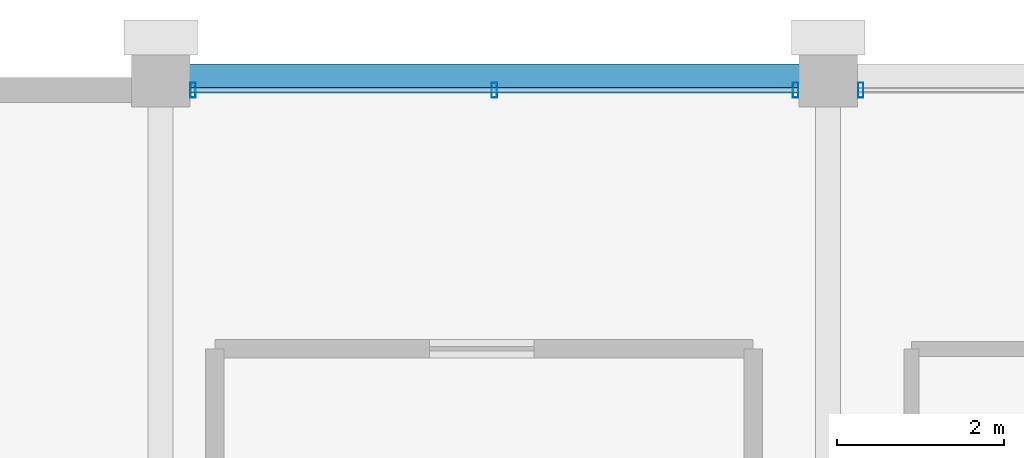
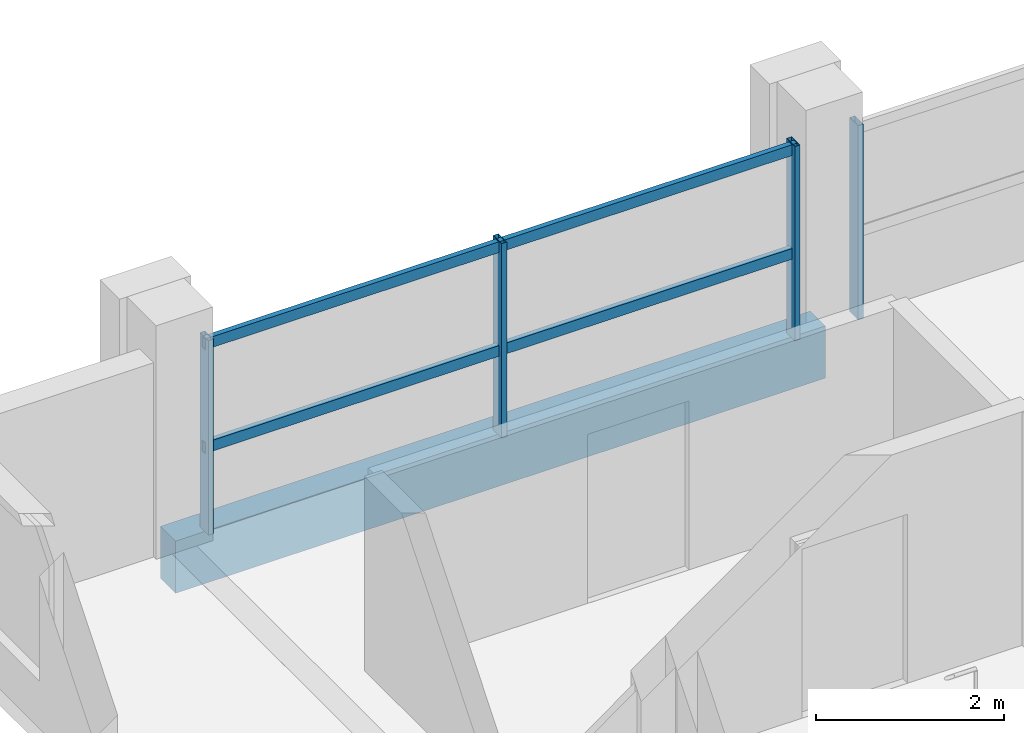
# One storey, part 15 of 24: 6 members, 1 beam, 2 elements without a shape of their own.
"""IFC4 building model written with IfcOpenShell, lengths in metres."""

from ifc_helpers import new_model, si_unit, direction, frame, origin, origin_2d, place, context, subcontext, project, spatial, rectangle, hollow_rectangle, extrude, material, material_profile, profile_set, type_object, element, aggregate, save


model = new_model("IFC4")

# Units and contexts
model_context = context("Model", 3, precision=1e-05, world=origin(), true_north=direction((0.0, 1.0)))
body_context = subcontext(model_context, "Body", "Model", "MODEL_VIEW")
ifc_project = project(units=[si_unit("LENGTHUNIT", "METRE"), si_unit("AREAUNIT", "SQUARE_METRE"), si_unit("VOLUMEUNIT", "CUBIC_METRE"), si_unit("PLANEANGLEUNIT", "RADIAN"), si_unit("MASSUNIT", "GRAM", prefix="KILO")], contexts=[model_context])

# Site, building, storey
site_placement = place(None, origin())
site = spatial("IfcSite", under=ifc_project, at=site_placement, CompositionType="ELEMENT")
building_placement = place(site_placement, origin())
building = spatial("IfcBuilding", under=site, at=building_placement, Name="Akrevak Sports Hall", CompositionType="ELEMENT")
storey_placement = place(building_placement, frame((0.0, 0.0, 60.050048828125)))
storey = spatial("IfcBuildingStorey", under=building, at=storey_placement, Name="L15", CompositionType="ELEMENT", Elevation=60.050048828125)

# Curtain wall, member
ifc_material_1 = material(Name="Anodized Bronze Aluminium & Low-E Glass", Category="aluminium")
curtain_wall_type = type_object("IfcCurtainWallType", Name="ARC-CW-TWR-56x30", PredefinedType="NOTDEFINED", material=ifc_material_1)
curtain_wall_1_placement = place(storey_placement, origin())
curtain_wall_1 = element("IfcCurtainWall", 1, at=curtain_wall_1_placement, inside=storey, type_object=curtain_wall_type, Name="Curtain Wall CW-L15-N21", PredefinedType="NOTDEFINED")
ifc_material_2 = material(Name="Anodized Bronze Aluminium", Category="aluminium")
ifc_material_profile_1 = material_profile(ifc_material_2, hollow_rectangle(XDim=0.06494140625, YDim=0.179931640625, WallThickness=0.00390625, at=origin_2d()), Name="CWM 65x180", Category="aluminium")
ifc_profile_set_1 = profile_set([ifc_material_profile_1], Name="Anodized Bronze Aluminium")
member_type_1 = type_object("IfcMemberType", Name="ARC-CWM-65x140", PredefinedType="MULLION", material=ifc_profile_set_1)
member_1_placement = place(storey_placement, frame((68.389892578125, 69.449951171875, 0.0), z_axis=(0.0, 0.0, 1.0), x_axis=(-1.0, 0.0, 0.0)))
member_1 = element("IfcMember", 2, at=member_1_placement, type_object=member_type_1, Name="Curtain Wall Mullion CW-L15-N21-M3", PredefinedType="MULLION", context=body_context, shape_type="SweptSolid", body=[
    extrude(hollow_rectangle(XDim=0.06494140625, YDim=0.179931640625, WallThickness=0.00390625, at=origin_2d()), origin(), (0.0, 0.0, 1.0), 2.530029296875),
])
aggregate(curtain_wall_1, [member_1])

# Curtain wall, members
curtain_wall_2_placement = place(storey_placement, origin())
curtain_wall_2 = element("IfcCurtainWall", 3, at=curtain_wall_2_placement, inside=storey, type_object=curtain_wall_type, Name="Curtain Wall CW-L15-N22", PredefinedType="NOTDEFINED")
member_2_placement = place(storey_placement, frame((67.610107421875, 69.449951171875, 0.0), z_axis=(0.0, 0.0, 1.0), x_axis=(-1.0, 0.0, 0.0)))
member_2 = element("IfcMember", 4, at=member_2_placement, type_object=member_type_1, Name="Curtain Wall Mullion CW-L15-N22-M1", PredefinedType="MULLION", context=body_context, shape_type="SweptSolid", body=[
    extrude(hollow_rectangle(XDim=0.06494140625, YDim=0.179931640625, WallThickness=0.00390625, at=origin_2d()), origin(), (0.0, 0.0, 1.0), 2.530029296875),
])
member_3_placement = place(storey_placement, frame((64.0, 69.449951171875, 0.0), z_axis=(0.0, 0.0, 1.0), x_axis=(-1.0, 0.0, 0.0)))
member_3 = element("IfcMember", 5, at=member_3_placement, type_object=member_type_1, Name="Curtain Wall Mullion CW-L15-N22-M2", PredefinedType="MULLION", context=body_context, shape_type="SweptSolid", body=[
    extrude(hollow_rectangle(XDim=0.06494140625, YDim=0.179931640625, WallThickness=0.00390625, at=origin_2d()), origin(), (0.0, 0.0, 1.0), 2.530029296875),
])
member_4_placement = place(storey_placement, frame((60.389892578125, 69.449951171875, 0.0), z_axis=(0.0, 0.0, 1.0), x_axis=(-1.0, 0.0, 0.0)))
member_4 = element("IfcMember", 6, at=member_4_placement, type_object=member_type_1, Name="Curtain Wall Mullion CW-L15-N22-M3", PredefinedType="MULLION", context=body_context, shape_type="SweptSolid", body=[
    extrude(hollow_rectangle(XDim=0.06494140625, YDim=0.179931640625, WallThickness=0.00390625, at=origin_2d()), origin(), (0.0, 0.0, 1.0), 2.530029296875),
])
ifc_material_profile_2 = material_profile(ifc_material_2, hollow_rectangle(XDim=0.06494140625, YDim=0.139892578125, WallThickness=0.00390625, at=origin_2d()), Name="CWT 65x140", Category="aluminium")
ifc_profile_set_2 = profile_set([ifc_material_profile_2], Name="Anodized Bronze Aluminium")
member_type_2 = type_object("IfcMemberType", Name="ARC-CWT-65x110", PredefinedType="USERDEFINED", material=ifc_profile_set_2)
member_5_placement = place(storey_placement, frame((67.64990234375, 69.449951171875, 1.099853515625), z_axis=(-1.0, 0.0, 0.0), x_axis=(0.0, -1.0, 0.0)))
member_5 = element("IfcMember", 7, at=member_5_placement, type_object=member_type_2, Name="Curtain Wall Transom CW-L15-N22-T1", ObjectType="TRANSOM", PredefinedType="USERDEFINED", context=body_context, shape_type="SweptSolid", body=[
    extrude(hollow_rectangle(XDim=0.06494140625, YDim=0.139892578125, WallThickness=0.00390625, at=origin_2d()), origin(), (0.0, 0.0, 1.0), 7.2998046875),
])
member_6_placement = place(storey_placement, frame((67.64990234375, 69.449951171875, 2.449951171875), z_axis=(-1.0, 0.0, 0.0), x_axis=(0.0, -1.0, 0.0)))
member_6 = element("IfcMember", 8, at=member_6_placement, type_object=member_type_2, Name="Curtain Wall Transom CW-L15-N22-T2", ObjectType="TRANSOM", PredefinedType="USERDEFINED", context=body_context, shape_type="SweptSolid", body=[
    extrude(hollow_rectangle(XDim=0.06494140625, YDim=0.139892578125, WallThickness=0.00390625, at=origin_2d()), origin(), (0.0, 0.0, 1.0), 7.2998046875),
])
aggregate(curtain_wall_2, [member_2, member_3, member_4, member_5, member_6])

# Beam
ifc_material_3 = material(Name="Concrete C40/50", Category="concrete")
ifc_material_profile_3 = material_profile(ifc_material_3, rectangle(XDim=0.320068359375, YDim=0.679931640625, at=origin_2d()), Name="SPD 320x680", Category="concrete")
ifc_profile_set_3 = profile_set([ifc_material_profile_3], Name="Concrete C40/50")
beam_type = type_object("IfcBeamType", Name="STR-SPD-RC320x680", PredefinedType="SPANDREL", material=ifc_profile_set_3)
beam_placement = place(storey_placement, frame((60.0, 69.60009765625, -0.340087890625), z_axis=(1.0, 0.0, 0.0), x_axis=(0.0, 1.0, 0.0)))
element("IfcBeam", 9, at=beam_placement, inside=storey, type_object=beam_type, Name="Girder K/9-10 (L15)", PredefinedType="SPANDREL", context=body_context, shape_type="SweptSolid", body=[
    extrude(rectangle(XDim=0.320068359375, YDim=0.679931640625, at=origin_2d()), origin(), (0.0, 0.0, 1.0), 8.0),
])

save(model, "model.ifc")
